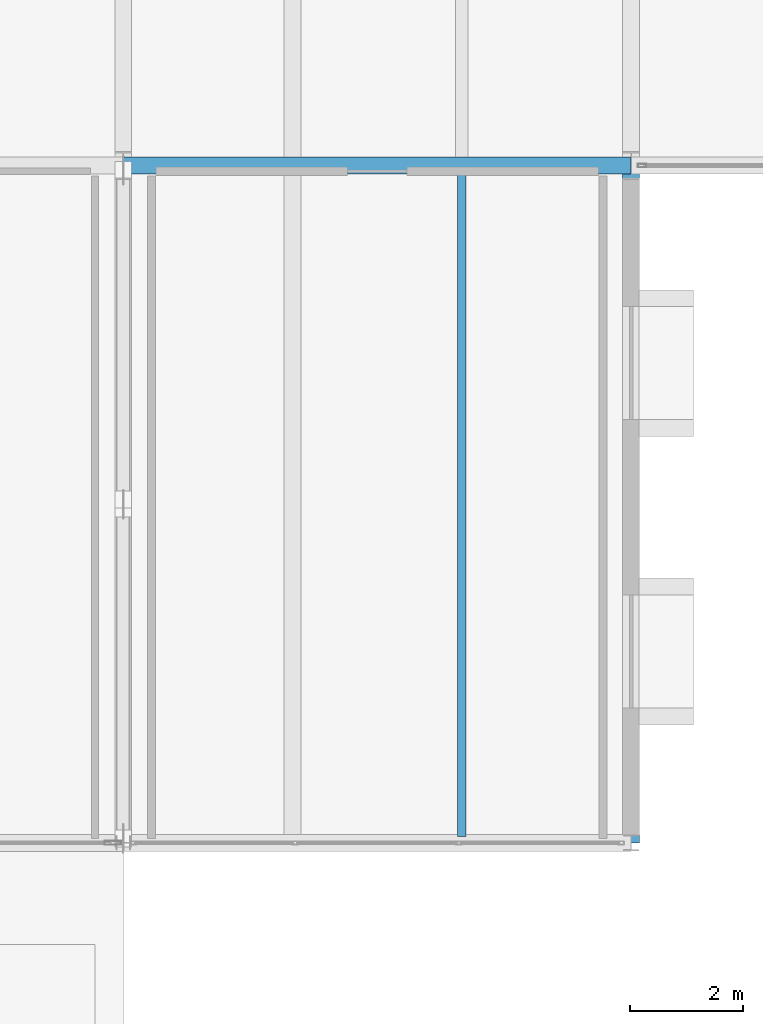
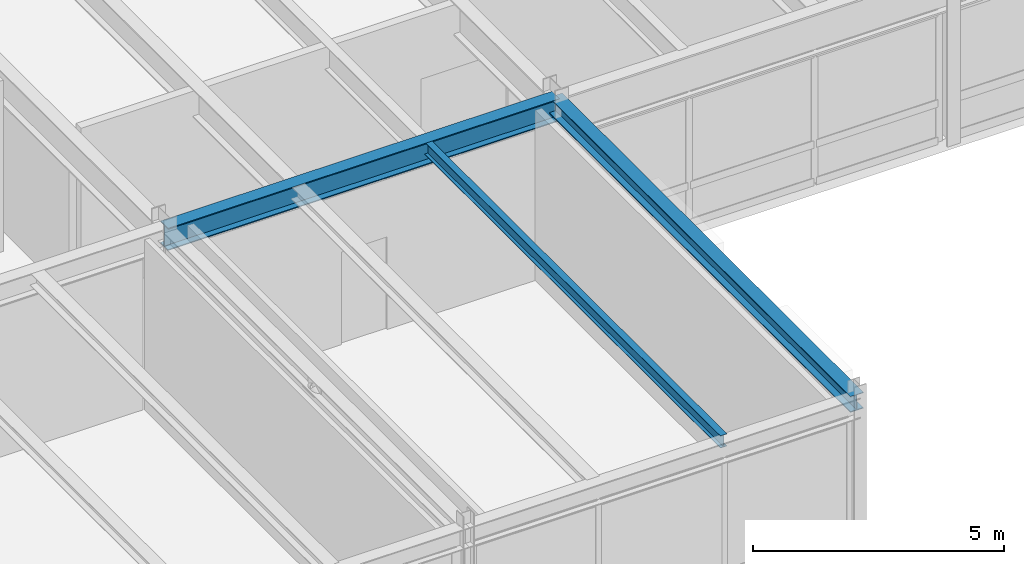
# One storey, part 82 of 142: 3 beams.
"""IFC4 building model written with IfcOpenShell, lengths in metres."""

from ifc_helpers import new_model, si_unit, direction, frame, origin, origin_2d, place, context, subcontext, project, spatial, i_section, extrude, material, material_profile, profile_set, type_object, element, save


model = new_model("IFC4")

# Units and contexts
model_context = context("Model", 3, precision=1e-05, world=origin(), true_north=direction((0.0, 1.0)))
body_context = subcontext(model_context, "Body", "Model", "MODEL_VIEW")
ifc_project = project(units=[si_unit("LENGTHUNIT", "METRE"), si_unit("AREAUNIT", "SQUARE_METRE"), si_unit("VOLUMEUNIT", "CUBIC_METRE"), si_unit("PLANEANGLEUNIT", "RADIAN"), si_unit("MASSUNIT", "GRAM", prefix="KILO")], contexts=[model_context])

# Site, building, storey
site_placement = place(None, origin())
site = spatial("IfcSite", under=ifc_project, at=site_placement, CompositionType="ELEMENT")
building_placement = place(site_placement, origin())
building = spatial("IfcBuilding", under=site, at=building_placement, Name="Montelvaro Courts of Justice", CompositionType="ELEMENT")
storey_placement = place(building_placement, frame((0.0, 0.0, 14.39990234375)))
storey = spatial("IfcBuildingStorey", under=building, at=storey_placement, Name="L03", CompositionType="ELEMENT", Elevation=14.39990234375)

# Beams
ifc_material = material(Name="Steel S355", Category="steel")
ifc_material_profile_1 = material_profile(ifc_material, i_section(OverallWidth=0.300048828125, OverallDepth=0.389892578125, WebThickness=0.010986328125, FlangeThickness=0.01904296875, at=origin_2d()), Name="HEA 400")
ifc_profile_set_1 = profile_set([ifc_material_profile_1], Name="Steel S355")
beam_type_1 = type_object("IfcBeamType", Name="Beam_HEA400", PredefinedType="USERDEFINED", material=ifc_profile_set_1)
beam_1_placement = place(storey_placement, frame((135.0, 66.0, 4.005126953125), z_axis=(0.0, 1.0, 0.0), x_axis=(-1.0, 0.0, 0.0)))
element("IfcBeam", 1, at=beam_1_placement, inside=storey, type_object=beam_type_1, Name="Beam B-17 L03", ObjectType="GIRDER", PredefinedType="USERDEFINED", context=body_context, shape_type="SweptSolid", body=[
    extrude(i_section(OverallWidth=0.300048828125, OverallDepth=0.389892578125, WebThickness=0.010986328125, FlangeThickness=0.01904296875, at=origin_2d()), origin(), (0.0, 0.0, 1.0), 12.0),
])
ifc_material_profile_2 = material_profile(ifc_material, i_section(OverallWidth=0.300048828125, OverallDepth=0.5400390625, WebThickness=0.012451171875, FlangeThickness=0.02392578125, at=origin_2d()), Name="HEA 550")
ifc_profile_set_2 = profile_set([ifc_material_profile_2], Name="Steel S355")
beam_type_2 = type_object("IfcBeamType", Name="Beam_HEA550", PredefinedType="USERDEFINED", material=ifc_profile_set_2)
beam_2_placement = place(storey_placement, frame((126.0, 78.0, 3.93017578125), z_axis=(1.0, 0.0, 0.0), x_axis=(0.0, 1.0, 0.0)))
element("IfcBeam", 2, at=beam_2_placement, inside=storey, type_object=beam_type_2, Name="Beam B-20 L03", ObjectType="GIRDER", PredefinedType="USERDEFINED", context=body_context, shape_type="SweptSolid", body=[
    extrude(i_section(OverallWidth=0.300048828125, OverallDepth=0.5400390625, WebThickness=0.012451171875, FlangeThickness=0.02392578125, at=origin_2d()), origin(), (0.0, 0.0, 1.0), 9.0),
])
ifc_material_profile_3 = material_profile(ifc_material, i_section(OverallWidth=0.14990234375, OverallDepth=0.300048828125, WebThickness=0.007080078125, FlangeThickness=0.0107421875, at=origin_2d()), Name="IPE 300")
ifc_profile_set_3 = profile_set([ifc_material_profile_3], Name="Steel S355")
beam_type_3 = type_object("IfcBeamType", Name="Beam_IPE300", PredefinedType="BEAM", material=ifc_profile_set_3)
beam_3_placement = place(storey_placement, frame((132.0, 66.110107421875, 4.050048828125), z_axis=(0.0, 1.0, 0.0), x_axis=(-1.0, 0.0, 0.0)))
element("IfcBeam", 3, at=beam_3_placement, inside=storey, type_object=beam_type_3, Name="Beam B-05 L03", PredefinedType="BEAM", context=body_context, shape_type="SweptSolid", body=[
    extrude(i_section(OverallWidth=0.14990234375, OverallDepth=0.300048828125, WebThickness=0.007080078125, FlangeThickness=0.0107421875, at=origin_2d()), origin(), (0.0, 0.0, 1.0), 11.77978515625),
])

save(model, "model.ifc")
